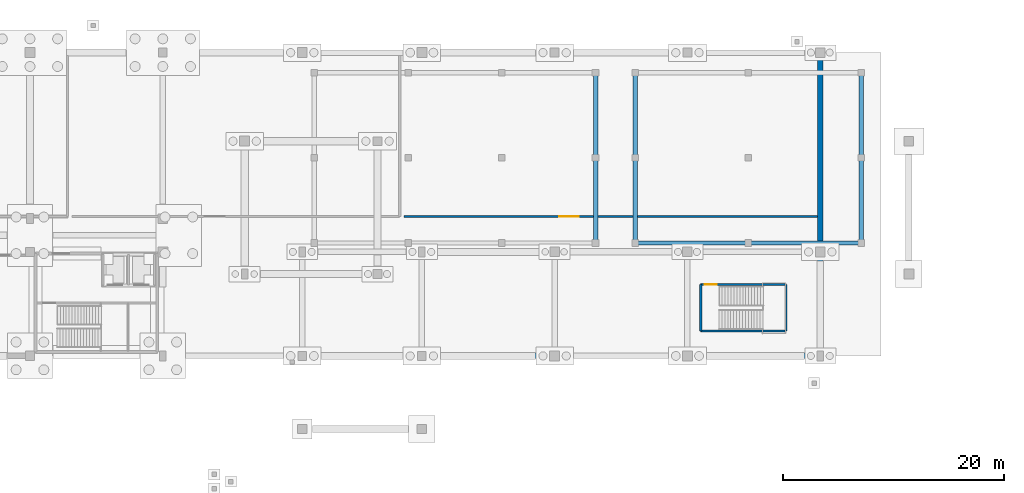
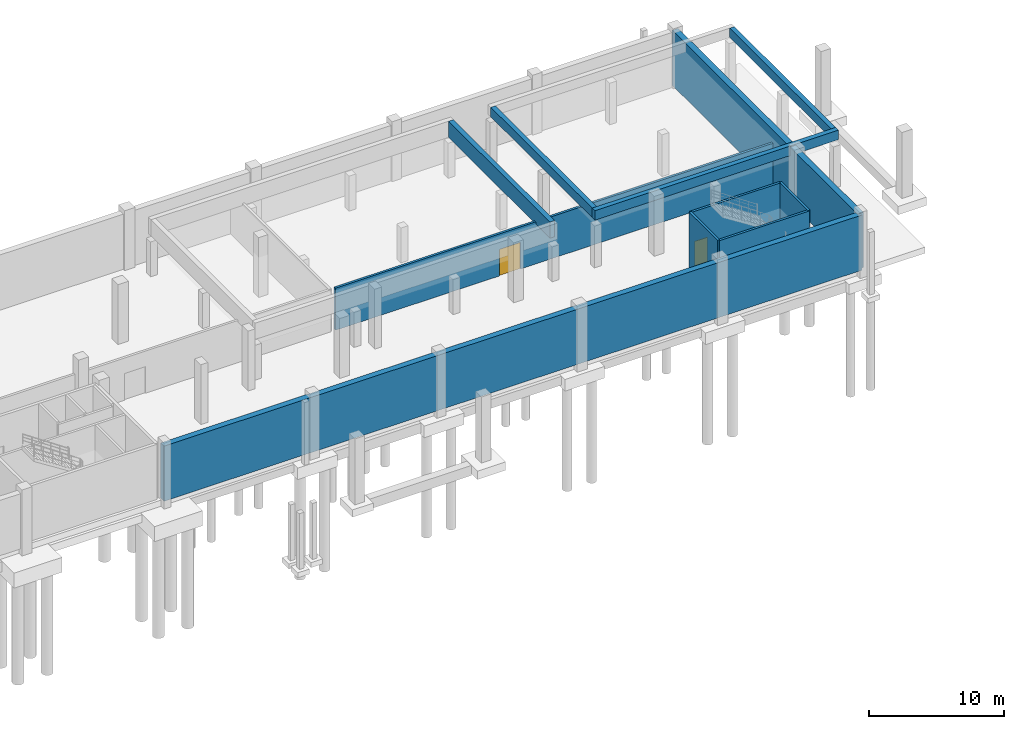
# One storey, part 34 of 42: 11 walls, 2 doors, 2 openings.
"""IFC4 building model written with IfcOpenShell, lengths in metres."""

from ifc_helpers import new_model, si_unit, direction, frame, frame_2d, origin, place, context, subcontext, project, spatial, rectangle, extrude, material, layer, layer_set, type_object, element, fill, save


model = new_model("IFC4")

# Units and contexts
model_context = context("Model", 3, precision=1e-05, world=origin(), true_north=direction((0.0, 1.0)))
body_context = subcontext(model_context, "Body", "Model", "MODEL_VIEW")
ifc_project = project(units=[si_unit("LENGTHUNIT", "METRE"), si_unit("AREAUNIT", "SQUARE_METRE"), si_unit("VOLUMEUNIT", "CUBIC_METRE"), si_unit("PLANEANGLEUNIT", "RADIAN"), si_unit("MASSUNIT", "GRAM", prefix="KILO"), si_unit("THERMODYNAMICTEMPERATUREUNIT", "KELVIN"), si_unit("POWERUNIT", "WATT")], contexts=[model_context])

# Site, building, storey
site_placement = place(None, origin())
site = spatial("IfcSite", under=ifc_project, at=site_placement, CompositionType="ELEMENT")
building_placement = place(site_placement, origin())
building = spatial("IfcBuilding", under=site, at=building_placement, Name="Solmara Park Aquatics Centre", CompositionType="ELEMENT")
storey_placement = place(building_placement, frame((0.0, 0.0, -5.39990234375)))
storey = spatial("IfcBuildingStorey", under=building, at=storey_placement, Name="B1", CompositionType="ELEMENT", Elevation=-5.39990234375)

# Wall, opening, door
ifc_material_1 = material(Name="Concrete C25/30 Autoclaved Aerated Fire Blockwork", Category="masonry")
ifc_layer_1 = layer(ifc_material_1, 0.199951171875, Name="Concrete C25/30 Autoclaved Aerated Fire Blockwork")
ifc_layer_set_1 = layer_set([ifc_layer_1], Name="Concrete C25/30 Autoclaved Aerated Fire Blockwork")
wall_type_1 = type_object("IfcWallType", Name="ARC-WL-FIRE200", PredefinedType="SOLIDWALL", material=ifc_layer_set_1)
wall_1_placement = place(storey_placement, frame((118.39990234375, 121.199951171875, 0.0), z_axis=(0.0, 0.0, 1.0), x_axis=(1.0, 0.0, 0.0)))
wall_1 = element("IfcWall", 1, at=wall_1_placement, inside=storey, type_object=wall_type_1, Name="Interior Partition IW-B1-0040 (B1-PLT-05)", PredefinedType="SOLIDWALL", context=body_context, shape_type="SweptSolid", body=[
    extrude(rectangle(XDim=37.35009765625, YDim=0.199951171875, at=frame_2d((18.675048828125, 0.0))), origin(), (0.0, 0.0, 1.0), 3.7998046875),
])
opening_1_placement = place(wall_1_placement, frame((14.0, 0.0, 0.0)))
opening_1 = element("IfcOpeningElement", 2, at=opening_1_placement, cuts=wall_1, Name="Opening D-14", PredefinedType="OPENING", context=body_context, shape_type="SweptSolid", body=[
    extrude(rectangle(XDim=1.800048828125, YDim=2.39990234375, at=frame_2d((0.89990234375, 1.199951171875))), frame((0.0, 0.10986328125, 0.0), z_axis=(0.0, -1.0, 0.0), x_axis=(1.0, 0.0, 0.0)), (0.0, 0.0, 1.0), 0.219970703125),
])
ifc_material_2 = material(Name="Stainless Steel", Category="steel")
door_type_1 = type_object("IfcDoorType", Name="ARC-DR-PLT180x240", OperationType="DOUBLE_DOOR_SINGLE_SWING", PredefinedType="DOOR", material=ifc_material_2)
door_1_placement = place(opening_1_placement, frame((1.800048828125, 0.0, 0.0), z_axis=(0.0, 0.0, 1.0), x_axis=(-1.0, 0.0, 0.0)))
door_1 = element("IfcDoor", 3, at=door_1_placement, inside=storey, type_object=door_type_1, Name="Training and Leisure Pool Filtration and Chemical Dosing Hall Door", OperationType="DOUBLE_DOOR_SINGLE_SWING", OverallHeight=2.39990234375, OverallWidth=1.800048828125, PredefinedType="DOOR", context=body_context, shape_type="SweptSolid", body=[
    extrude(rectangle(XDim=1.800048828125, YDim=2.39990234375, at=frame_2d((0.89990234375, 1.199951171875))), frame((0.0, 0.02490234375, 0.0), z_axis=(0.0, -1.0, 0.0), x_axis=(1.0, 0.0, 0.0)), (0.0, 0.0, 1.0), 0.050048828125),
])
fill(opening_1, door_1)

# Walls
ifc_material_3 = material(Name="Watertight Concrete C45/55", Category="concrete")
ifc_layer_2 = layer(ifc_material_3, 0.5, Name="Watertight Concrete C45/55")
ifc_layer_set_2 = layer_set([ifc_layer_2], Name="Watertight Concrete C45/55")
wall_type_2 = type_object("IfcWallType", Name="STR-WL-RET500", PredefinedType="USERDEFINED", material=ifc_layer_set_2)
wall_2_placement = place(storey_placement, frame((156.0, 108.60009765625, 0.0), z_axis=(0.0, 0.0, 1.0), x_axis=(0.0, 1.0, 0.0)))
element("IfcWall", 4, at=wall_2_placement, inside=storey, type_object=wall_type_2, Name="Basement Perimeter Retaining Wall 07", ObjectType="RETAINING WALL", PredefinedType="USERDEFINED", context=body_context, shape_type="SweptSolid", body=[
    extrude(rectangle(XDim=27.39990234375, YDim=0.5, at=frame_2d((13.699951171875, 0.0))), origin(), (0.0, 0.0, 1.0), 4.97998046875),
])
wall_3_placement = place(storey_placement, frame((96.39990234375, 108.60009765625, 0.0), z_axis=(0.0, 0.0, 1.0), x_axis=(1.0, 0.0, 0.0)))
element("IfcWall", 5, at=wall_3_placement, inside=storey, type_object=wall_type_2, Name="Basement Perimeter Retaining Wall 10", ObjectType="RETAINING WALL", PredefinedType="USERDEFINED", context=body_context, shape_type="SweptSolid", body=[
    extrude(rectangle(XDim=59.60009765625, YDim=0.5, at=frame_2d((29.800048828125, 0.0))), origin(), (0.0, 0.0, 1.0), 4.97998046875),
])
ifc_material_4 = material(Name="Concrete C35/45", Category="concrete")
ifc_layer_3 = layer(ifc_material_4, 0.199951171875, Name="Concrete C35/45")
ifc_layer_set_3 = layer_set([ifc_layer_3], Name="Concrete C35/45")
wall_type_3 = type_object("IfcWallType", Name="STR-WL-STAIR200", PredefinedType="SHEAR", material=ifc_layer_set_3)
wall_4_placement = place(storey_placement, frame((145.199951171875, 110.85009765625, -0.150146484375), z_axis=(0.0, 0.0, 1.0), x_axis=(1.0, 0.0, 0.0)))
element("IfcWall", 6, at=wall_4_placement, inside=storey, type_object=wall_type_3, Name="ST07 Escape Stair Wall S B1", PredefinedType="SHEAR", context=body_context, shape_type="SweptSolid", body=[
    extrude(rectangle(XDim=7.699951171875, YDim=0.199951171875, at=frame_2d((3.85009765625, 0.0))), origin(), (0.0, 0.0, 1.0), 5.130126953125),
])

# Wall, opening, door
wall_5_placement = place(storey_placement, frame((145.199951171875, 115.050048828125, -0.150146484375), z_axis=(0.0, 0.0, 1.0), x_axis=(1.0, 0.0, 0.0)))
wall_5 = element("IfcWall", 7, at=wall_5_placement, inside=storey, type_object=wall_type_3, Name="ST07 Escape Stair Wall N B1", PredefinedType="SHEAR", context=body_context, shape_type="SweptSolid", body=[
    extrude(rectangle(XDim=7.699951171875, YDim=0.199951171875, at=frame_2d((3.85009765625, 0.0))), origin(), (0.0, 0.0, 1.0), 5.130126953125),
])
opening_2_placement = place(wall_5_placement, frame((0.35009765625, 0.0, 0.14990234375)))
opening_2 = element("IfcOpeningElement", 8, at=opening_2_placement, cuts=wall_5, Name="Opening D-11", PredefinedType="OPENING", context=body_context, shape_type="SweptSolid", body=[
    extrude(rectangle(XDim=1.10009765625, YDim=2.199951171875, at=frame_2d((0.550048828125, 1.10009765625))), frame((0.0, 0.10986328125, 0.0), z_axis=(0.0, -1.0, 0.0), x_axis=(1.0, 0.0, 0.0)), (0.0, 0.0, 1.0), 0.219970703125),
])
ifc_material_5 = material(Name="Moisture-Resistant HPL & Hardwood", Category="wood")
door_type_2 = type_object("IfcDoorType", Name="ARC-DR-FD110x220", OperationType="NOTDEFINED", PredefinedType="DOOR", material=ifc_material_5)
door_2_placement = place(opening_2_placement, frame((1.10009765625, 0.0, 0.0), z_axis=(0.0, 0.0, 1.0), x_axis=(-1.0, 0.0, 0.0)))
door_2 = element("IfcDoor", 9, at=door_2_placement, inside=storey, type_object=door_type_2, Name="ST07 Escape Stair Entry Door B1", OperationType="SINGLE_SWING_LEFT", OverallHeight=2.199951171875, OverallWidth=1.10009765625, PredefinedType="DOOR", context=body_context, shape_type="SweptSolid", body=[
    extrude(rectangle(XDim=1.10009765625, YDim=2.199951171875, at=frame_2d((0.550048828125, 1.10009765625))), frame((0.0, 0.02490234375, 0.0), z_axis=(0.0, -1.0, 0.0), x_axis=(1.0, 0.0, 0.0)), (0.0, 0.0, 1.0), 0.050048828125),
])
fill(opening_2, door_2)

# Walls
for number, where, z_axis, x_axis, name in (
    (10, (145.199951171875, 110.85009765625, -0.150146484375), (0.0, 0.0, 1.0), (0.0, 1.0, 0.0), "ST07 Escape Stair Wall W B1"),
    (11, (152.89990234375, 110.85009765625, -0.150146484375), (0.0, 0.0, 1.0), (0.0, 1.0, 0.0), "ST07 Escape Stair Wall E B1"),
):
    element("IfcWall", number, at=place(storey_placement, frame(where, z_axis=z_axis, x_axis=x_axis)), inside=storey, type_object=wall_type_3, Name=name, PredefinedType="SHEAR", context=body_context, shape_type="SweptSolid", body=[
        extrude(rectangle(XDim=4.199951171875, YDim=0.199951171875, at=frame_2d((2.10009765625, 0.0))), origin(), (0.0, 0.0, 1.0), 5.130126953125),
    ])
ifc_layer_4 = layer(ifc_material_3, 0.39990234375, Name="Watertight Concrete C45/55")
ifc_layer_set_4 = layer_set([ifc_layer_4], Name="Watertight Concrete C45/55")
wall_type_4 = type_object("IfcWallType", Name="STR-WL-TANK400", PredefinedType="SOLIDWALL", material=ifc_layer_set_4)
wall_6_placement = place(storey_placement, frame((135.699951171875, 119.0, 3.599853515625), z_axis=(0.0, 0.0, 1.0), x_axis=(0.0, 1.0, 0.0)))
element("IfcWall", 12, at=wall_6_placement, inside=storey, type_object=wall_type_4, Name="25m Training Pool Watertight Wall WL-POOL-3-E", PredefinedType="SOLIDWALL", context=body_context, shape_type="SweptSolid", body=[
    extrude(rectangle(XDim=15.0, YDim=0.39990234375, at=frame_2d((7.5, 0.0))), origin(), (0.0, 0.0, 1.0), 1.4599609375),
])
wall_7_placement = place(storey_placement, frame((139.10009765625, 118.800048828125, 4.199951171875), z_axis=(0.0, 0.0, 1.0), x_axis=(1.0, 0.0, 0.0)))
element("IfcWall", 13, at=wall_7_placement, inside=storey, type_object=wall_type_4, Name="Leisure and Hydrotherapy Pool Watertight Wall WL-POOL-4-S", PredefinedType="SOLIDWALL", context=body_context, shape_type="SweptSolid", body=[
    extrude(rectangle(XDim=20.7998046875, YDim=0.39990234375, at=frame_2d((10.39990234375, 0.0))), origin(), (0.0, 0.0, 1.0), 0.85986328125),
])
for number, where, z_axis, x_axis, name in (
    (14, (139.300048828125, 119.0, 4.199951171875), (0.0, 0.0, 1.0), (0.0, 1.0, 0.0), "Leisure and Hydrotherapy Pool Watertight Wall WL-POOL-4-W"),
    (15, (159.699951171875, 119.0, 4.199951171875), (0.0, 0.0, 1.0), (0.0, 1.0, 0.0), "Leisure and Hydrotherapy Pool Watertight Wall WL-POOL-4-E"),
):
    element("IfcWall", number, at=place(storey_placement, frame(where, z_axis=z_axis, x_axis=x_axis)), inside=storey, type_object=wall_type_4, Name=name, PredefinedType="SOLIDWALL", context=body_context, shape_type="SweptSolid", body=[
        extrude(rectangle(XDim=15.0, YDim=0.39990234375, at=frame_2d((7.5, 0.0))), origin(), (0.0, 0.0, 1.0), 0.85986328125),
    ])

save(model, "model.ifc")
